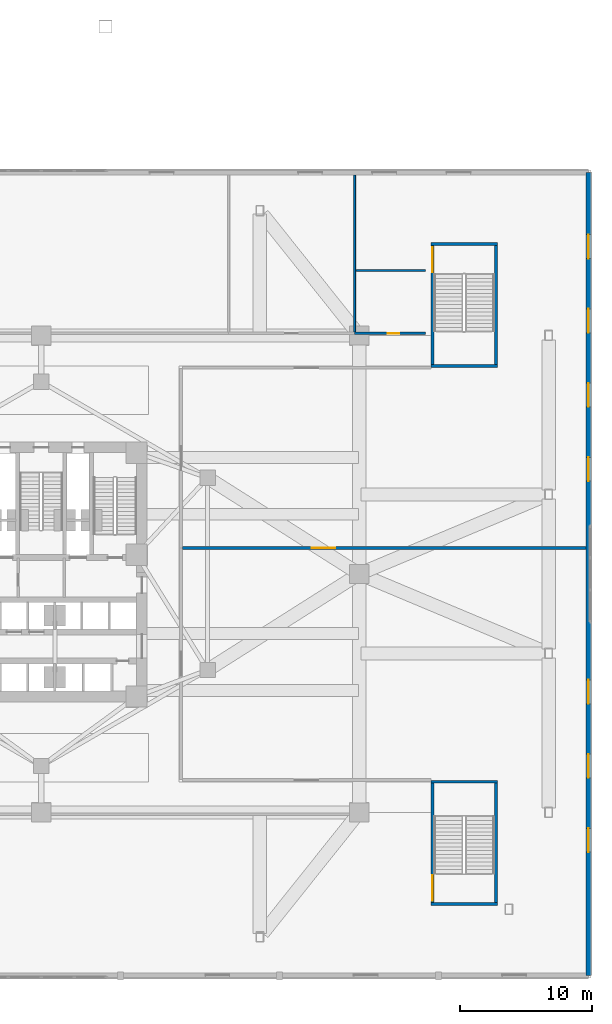
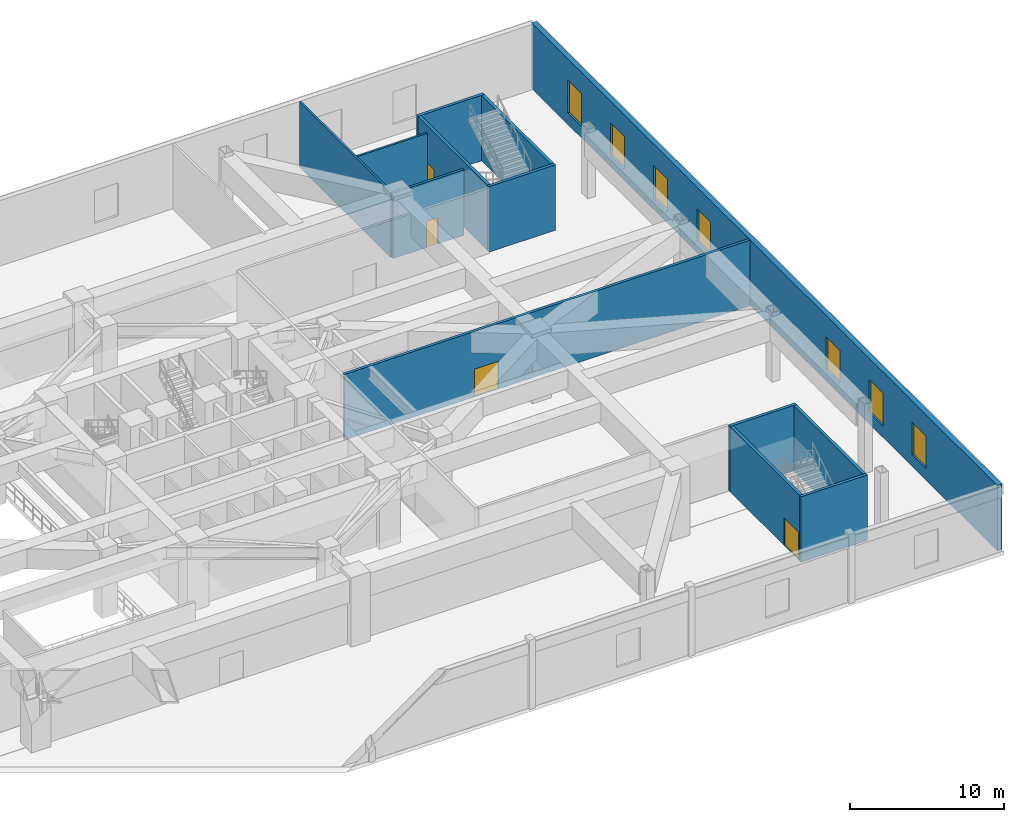
# One storey, part 14 of 23: 13 walls, 7 windows, 4 doors, 11 openings.
"""IFC4 building model written with IfcOpenShell, lengths in metres."""

from ifc_helpers import new_model, si_unit, direction, frame, frame_2d, origin, place, context, subcontext, project, spatial, rectangle, extrude, material, layer, layer_set, type_object, element, fill, save


model = new_model("IFC4")

# Units and contexts
model_context = context("Model", 3, precision=1e-05, world=origin(), true_north=direction((0.0, 1.0)))
body_context = subcontext(model_context, "Body", "Model", "MODEL_VIEW")
ifc_project = project(units=[si_unit("LENGTHUNIT", "METRE"), si_unit("AREAUNIT", "SQUARE_METRE"), si_unit("VOLUMEUNIT", "CUBIC_METRE"), si_unit("PLANEANGLEUNIT", "RADIAN"), si_unit("MASSUNIT", "GRAM", prefix="KILO")], contexts=[model_context])

# Site, building, storey
site_placement = place(None, origin())
site = spatial("IfcSite", under=ifc_project, at=site_placement, CompositionType="ELEMENT")
building_placement = place(site_placement, origin())
building = spatial("IfcBuilding", under=site, at=building_placement, Name="Apsidion Concourse Tower", CompositionType="ELEMENT")
storey_placement = place(building_placement, frame((0.0, 0.0, 6.0)))
storey = spatial("IfcBuildingStorey", under=building, at=storey_placement, Name="L01", CompositionType="ELEMENT", Elevation=6.0)

# Wall, openings, windows
ifc_material_1 = material(Name="Precast concrete C40/50", Category="concrete")
ifc_layer_1 = layer(ifc_material_1, 0.360107421875)
ifc_layer_set_1 = layer_set([ifc_layer_1], Name="Precast concrete C40/50")
wall_type_1 = type_object("IfcWallType", Name="WL-EXT-360", PredefinedType="STANDARD", material=ifc_layer_set_1)
wall_1_placement = place(storey_placement, frame((41.300048828125, 30.300048828125, 0.0), z_axis=(0.0, 0.0, 1.0), x_axis=(0.0, -1.0, 0.0)))
wall_1 = element("IfcWall", 1, at=wall_1_placement, inside=storey, type_object=wall_type_1, Name="L01 Podium Precast Stone Facade Wall E", PredefinedType="STANDARD", context=body_context, shape_type="SweptSolid", body=[
    extrude(rectangle(XDim=60.60009765625, YDim=0.360107421875, at=frame_2d((30.300048828125, 0.0))), origin(), (0.0, 0.0, 1.0), 5.199951171875),
])
opening_1_placement = place(wall_1_placement, frame((4.699951171875, 0.0, 0.89990234375)))
opening_1 = element("IfcOpeningElement", 2, at=opening_1_placement, cuts=wall_1, Name="Opening WN-01", PredefinedType="OPENING", context=body_context, shape_type="SweptSolid", body=[
    extrude(rectangle(XDim=1.800048828125, YDim=2.60009765625, at=frame_2d((0.89990234375, 1.300048828125))), frame((0.0, 0.18994140625, 0.0), z_axis=(0.0, -1.0, 0.0), x_axis=(1.0, 0.0, 0.0)), (0.0, 0.0, 1.0), 0.380126953125),
])
opening_2_placement = place(wall_1_placement, frame((10.300048828125, 0.0, 0.89990234375)))
opening_2 = element("IfcOpeningElement", 3, at=opening_2_placement, cuts=wall_1, Name="Opening WN-01", PredefinedType="OPENING", context=body_context, shape_type="SweptSolid", body=[
    extrude(rectangle(XDim=1.800048828125, YDim=2.60009765625, at=frame_2d((0.89990234375, 1.300048828125))), frame((0.0, 0.18994140625, 0.0), z_axis=(0.0, -1.0, 0.0), x_axis=(1.0, 0.0, 0.0)), (0.0, 0.0, 1.0), 0.380126953125),
])
opening_3_placement = place(wall_1_placement, frame((15.89990234375, 0.0, 0.89990234375)))
opening_3 = element("IfcOpeningElement", 4, at=opening_3_placement, cuts=wall_1, Name="Opening WN-01", PredefinedType="OPENING", context=body_context, shape_type="SweptSolid", body=[
    extrude(rectangle(XDim=1.800048828125, YDim=2.60009765625, at=frame_2d((0.89990234375, 1.300048828125))), frame((0.0, 0.18994140625, 0.0), z_axis=(0.0, -1.0, 0.0), x_axis=(1.0, 0.0, 0.0)), (0.0, 0.0, 1.0), 0.380126953125),
])
opening_4_placement = place(wall_1_placement, frame((21.5, 0.0, 0.89990234375)))
opening_4 = element("IfcOpeningElement", 5, at=opening_4_placement, cuts=wall_1, Name="Opening WN-01", PredefinedType="OPENING", context=body_context, shape_type="SweptSolid", body=[
    extrude(rectangle(XDim=1.800048828125, YDim=2.60009765625, at=frame_2d((0.89990234375, 1.300048828125))), frame((0.0, 0.18994140625, 0.0), z_axis=(0.0, -1.0, 0.0), x_axis=(1.0, 0.0, 0.0)), (0.0, 0.0, 1.0), 0.380126953125),
])
opening_5_placement = place(wall_1_placement, frame((38.300048828125, 0.0, 0.89990234375)))
opening_5 = element("IfcOpeningElement", 6, at=opening_5_placement, cuts=wall_1, Name="Opening WN-01", PredefinedType="OPENING", context=body_context, shape_type="SweptSolid", body=[
    extrude(rectangle(XDim=1.800048828125, YDim=2.60009765625, at=frame_2d((0.89990234375, 1.300048828125))), frame((0.0, 0.18994140625, 0.0), z_axis=(0.0, -1.0, 0.0), x_axis=(1.0, 0.0, 0.0)), (0.0, 0.0, 1.0), 0.380126953125),
])
opening_6_placement = place(wall_1_placement, frame((43.89990234375, 0.0, 0.89990234375)))
opening_6 = element("IfcOpeningElement", 7, at=opening_6_placement, cuts=wall_1, Name="Opening WN-01", PredefinedType="OPENING", context=body_context, shape_type="SweptSolid", body=[
    extrude(rectangle(XDim=1.800048828125, YDim=2.60009765625, at=frame_2d((0.89990234375, 1.300048828125))), frame((0.0, 0.18994140625, 0.0), z_axis=(0.0, -1.0, 0.0), x_axis=(1.0, 0.0, 0.0)), (0.0, 0.0, 1.0), 0.380126953125),
])
opening_7_placement = place(wall_1_placement, frame((49.5, 0.0, 0.89990234375)))
opening_7 = element("IfcOpeningElement", 8, at=opening_7_placement, cuts=wall_1, Name="Opening WN-01", PredefinedType="OPENING", context=body_context, shape_type="SweptSolid", body=[
    extrude(rectangle(XDim=1.800048828125, YDim=2.60009765625, at=frame_2d((0.89990234375, 1.300048828125))), frame((0.0, 0.18994140625, 0.0), z_axis=(0.0, -1.0, 0.0), x_axis=(1.0, 0.0, 0.0)), (0.0, 0.0, 1.0), 0.380126953125),
])
ifc_material_2 = material(Name="Insulated laminated low-E glass", Category="glass")
window_type = type_object("IfcWindowType", Name="WN-POD-1828", PartitioningType="DOUBLE_PANEL_VERTICAL", PredefinedType="WINDOW", material=ifc_material_2)
window_1_placement = place(opening_1_placement, origin())
window_1 = element("IfcWindow", 9, at=window_1_placement, inside=storey, type_object=window_type, Name="L01 Podium Window E-01", OverallHeight=2.60009765625, OverallWidth=1.800048828125, PartitioningType="DOUBLE_PANEL_VERTICAL", PredefinedType="WINDOW", context=body_context, shape_type="SweptSolid", body=[
    extrude(rectangle(XDim=1.800048828125, YDim=2.60009765625, at=frame_2d((0.89990234375, 1.300048828125))), frame((0.0, 0.030029296875, 0.0), z_axis=(0.0, -1.0, 0.0), x_axis=(1.0, 0.0, 0.0)), (0.0, 0.0, 1.0), 0.06005859375),
])
fill(opening_1, window_1)
window_2_placement = place(opening_2_placement, origin())
window_2 = element("IfcWindow", 10, at=window_2_placement, inside=storey, type_object=window_type, Name="L01 Podium Window E-02", OverallHeight=2.60009765625, OverallWidth=1.800048828125, PartitioningType="DOUBLE_PANEL_VERTICAL", PredefinedType="WINDOW", context=body_context, shape_type="SweptSolid", body=[
    extrude(rectangle(XDim=1.800048828125, YDim=2.60009765625, at=frame_2d((0.89990234375, 1.300048828125))), frame((0.0, 0.030029296875, 0.0), z_axis=(0.0, -1.0, 0.0), x_axis=(1.0, 0.0, 0.0)), (0.0, 0.0, 1.0), 0.06005859375),
])
fill(opening_2, window_2)
window_3_placement = place(opening_3_placement, origin())
window_3 = element("IfcWindow", 11, at=window_3_placement, inside=storey, type_object=window_type, Name="L01 Podium Window E-03", OverallHeight=2.60009765625, OverallWidth=1.800048828125, PartitioningType="DOUBLE_PANEL_VERTICAL", PredefinedType="WINDOW", context=body_context, shape_type="SweptSolid", body=[
    extrude(rectangle(XDim=1.800048828125, YDim=2.60009765625, at=frame_2d((0.89990234375, 1.300048828125))), frame((0.0, 0.030029296875, 0.0), z_axis=(0.0, -1.0, 0.0), x_axis=(1.0, 0.0, 0.0)), (0.0, 0.0, 1.0), 0.06005859375),
])
fill(opening_3, window_3)
window_4_placement = place(opening_4_placement, origin())
window_4 = element("IfcWindow", 12, at=window_4_placement, inside=storey, type_object=window_type, Name="L01 Podium Window E-04", OverallHeight=2.60009765625, OverallWidth=1.800048828125, PartitioningType="DOUBLE_PANEL_VERTICAL", PredefinedType="WINDOW", context=body_context, shape_type="SweptSolid", body=[
    extrude(rectangle(XDim=1.800048828125, YDim=2.60009765625, at=frame_2d((0.89990234375, 1.300048828125))), frame((0.0, 0.030029296875, 0.0), z_axis=(0.0, -1.0, 0.0), x_axis=(1.0, 0.0, 0.0)), (0.0, 0.0, 1.0), 0.06005859375),
])
fill(opening_4, window_4)
window_5_placement = place(opening_5_placement, origin())
window_5 = element("IfcWindow", 13, at=window_5_placement, inside=storey, type_object=window_type, Name="L01 Podium Window E-07", OverallHeight=2.60009765625, OverallWidth=1.800048828125, PartitioningType="DOUBLE_PANEL_VERTICAL", PredefinedType="WINDOW", context=body_context, shape_type="SweptSolid", body=[
    extrude(rectangle(XDim=1.800048828125, YDim=2.60009765625, at=frame_2d((0.89990234375, 1.300048828125))), frame((0.0, 0.030029296875, 0.0), z_axis=(0.0, -1.0, 0.0), x_axis=(1.0, 0.0, 0.0)), (0.0, 0.0, 1.0), 0.06005859375),
])
fill(opening_5, window_5)
window_6_placement = place(opening_6_placement, origin())
window_6 = element("IfcWindow", 14, at=window_6_placement, inside=storey, type_object=window_type, Name="L01 Podium Window E-08", OverallHeight=2.60009765625, OverallWidth=1.800048828125, PartitioningType="DOUBLE_PANEL_VERTICAL", PredefinedType="WINDOW", context=body_context, shape_type="SweptSolid", body=[
    extrude(rectangle(XDim=1.800048828125, YDim=2.60009765625, at=frame_2d((0.89990234375, 1.300048828125))), frame((0.0, 0.030029296875, 0.0), z_axis=(0.0, -1.0, 0.0), x_axis=(1.0, 0.0, 0.0)), (0.0, 0.0, 1.0), 0.06005859375),
])
fill(opening_6, window_6)
window_7_placement = place(opening_7_placement, origin())
window_7 = element("IfcWindow", 15, at=window_7_placement, inside=storey, type_object=window_type, Name="L01 Podium Window E-09", OverallHeight=2.60009765625, OverallWidth=1.800048828125, PartitioningType="DOUBLE_PANEL_VERTICAL", PredefinedType="WINDOW", context=body_context, shape_type="SweptSolid", body=[
    extrude(rectangle(XDim=1.800048828125, YDim=2.60009765625, at=frame_2d((0.89990234375, 1.300048828125))), frame((0.0, 0.030029296875, 0.0), z_axis=(0.0, -1.0, 0.0), x_axis=(1.0, 0.0, 0.0)), (0.0, 0.0, 1.0), 0.06005859375),
])
fill(opening_7, window_7)

# Wall, opening, door
ifc_material_3 = material(Name="Anodised aluminium EN AW-6063 T6", Category="aluminium")
ifc_layer_2 = layer(ifc_material_3, 0.2099609375)
ifc_layer_set_2 = layer_set([ifc_layer_2], Name="Anodised aluminium EN AW-6063 T6")
wall_type_2 = type_object("IfcWallType", Name="WL-INT-MOV-210", PredefinedType="MOVABLE", material=ifc_layer_set_2)
wall_2_placement = place(storey_placement, frame((10.64990234375, 1.949951171875, 0.0), z_axis=(0.0, 0.0, 1.0), x_axis=(1.0, 0.0, 0.0)))
wall_2 = element("IfcWall", 16, at=wall_2_placement, inside=storey, type_object=wall_type_2, Name="L01 Interior Partition WL-L01-EH", PredefinedType="MOVABLE", context=body_context, shape_type="SweptSolid", body=[
    extrude(rectangle(XDim=30.455078125, YDim=0.2099609375, at=frame_2d((15.2275390625, 0.0))), origin(), (0.0, 0.0, 1.0), 5.199951171875),
])
opening_8_placement = place(wall_2_placement, frame((9.75927734375, 0.0, 0.0)))
opening_8 = element("IfcOpeningElement", 17, at=opening_8_placement, cuts=wall_2, Name="Opening D-06D", PredefinedType="OPENING", context=body_context, shape_type="SweptSolid", body=[
    extrude(rectangle(XDim=1.800048828125, YDim=2.199951171875, at=frame_2d((0.89990234375, 1.10009765625))), frame((0.0, 0.114990234375, 0.0), z_axis=(0.0, -1.0, 0.0), x_axis=(1.0, 0.0, 0.0)), (0.0, 0.0, 1.0), 0.22998046875),
])
ifc_material_4 = material(Name="Brushed stainless steel 316", Category="steel")
door_type_1 = type_object("IfcDoorType", Name="DR-INT-D06D", OperationType="DOUBLE_DOOR_SINGLE_SWING", PredefinedType="DOOR", material=ifc_material_4)
door_1_placement = place(opening_8_placement, origin())
door_1 = element("IfcDoor", 18, at=door_1_placement, inside=storey, type_object=door_type_1, Name="L01 Convention Door WL-L01-EH", OperationType="DOUBLE_DOOR_SINGLE_SWING", OverallHeight=2.199951171875, OverallWidth=1.800048828125, PredefinedType="DOOR", context=body_context, shape_type="SweptSolid", body=[
    extrude(rectangle(XDim=1.800048828125, YDim=2.199951171875, at=frame_2d((0.89990234375, 1.10009765625))), frame((0.0, 0.02490234375, 0.0), z_axis=(0.0, -1.0, 0.0), x_axis=(1.0, 0.0, 0.0)), (0.0, 0.0, 1.0), 0.050048828125),
])
fill(opening_8, door_1)

# Walls
ifc_material_5 = material(Name="Gypsum plasterboard partition")
ifc_layer_3 = layer(ifc_material_5, 0.14990234375)
ifc_layer_set_3 = layer_set([ifc_layer_3], Name="Gypsum plasterboard partition")
wall_type_3 = type_object("IfcWallType", Name="WL-INT-PAR-150", PredefinedType="PARTITIONING", material=ifc_layer_set_3)
wall_3_placement = place(storey_placement, frame((23.64990234375, 18.25, 0.0), z_axis=(0.0, 0.0, 1.0), x_axis=(0.0, 1.0, 0.0)))
element("IfcWall", 19, at=wall_3_placement, inside=storey, type_object=wall_type_3, Name="L01 Interior Partition WL-L01-WCV2", PredefinedType="PARTITIONING", context=body_context, shape_type="SweptSolid", body=[
    extrude(rectangle(XDim=11.85498046875, YDim=0.14990234375, at=frame_2d((5.927490234375, 0.0))), origin(), (0.0, 0.0, 1.0), 5.199951171875),
])
wall_4_placement = place(storey_placement, frame((23.75, 22.89990234375, 0.0), z_axis=(0.0, 0.0, 1.0), x_axis=(1.0, 0.0, 0.0)))
element("IfcWall", 20, at=wall_4_placement, inside=storey, type_object=wall_type_3, Name="L01 Interior Partition WL-L01-WC3", PredefinedType="PARTITIONING", context=body_context, shape_type="SweptSolid", body=[
    extrude(rectangle(XDim=5.25, YDim=0.14990234375, at=frame_2d((2.625, 0.0))), origin(), (0.0, 0.0, 1.0), 5.199951171875),
])

# Wall, opening, door
ifc_layer_4 = layer(ifc_material_5, 0.179931640625)
ifc_layer_set_4 = layer_set([ifc_layer_4], Name="Gypsum plasterboard partition")
wall_type_4 = type_object("IfcWallType", Name="WL-INT-PAR-180", PredefinedType="PARTITIONING", material=ifc_layer_set_4)
wall_5_placement = place(storey_placement, frame((23.64990234375, 18.14990234375, 0.0), z_axis=(0.0, 0.0, 1.0), x_axis=(1.0, 0.0, 0.0)))
wall_5 = element("IfcWall", 21, at=wall_5_placement, inside=storey, type_object=wall_type_4, Name="L01 Interior Partition WL-L01-WC2", PredefinedType="PARTITIONING", context=body_context, shape_type="SweptSolid", body=[
    extrude(rectangle(XDim=5.35009765625, YDim=0.179931640625, at=frame_2d((2.675048828125, 0.0))), origin(), (0.0, 0.0, 1.0), 5.199951171875),
])
opening_9_placement = place(wall_5_placement, frame((2.50244140625, 0.0, 0.0)))
opening_9 = element("IfcOpeningElement", 22, at=opening_9_placement, cuts=wall_5, Name="Opening D-03R", PredefinedType="OPENING", context=body_context, shape_type="SweptSolid", body=[
    extrude(rectangle(XDim=0.8798828125, YDim=2.10009765625, at=frame_2d((0.43994140625, 1.050048828125))), frame((0.0, 0.10009765625, 0.0), z_axis=(0.0, -1.0, 0.0), x_axis=(1.0, 0.0, 0.0)), (0.0, 0.0, 1.0), 0.199951171875),
])
door_type_2 = type_object("IfcDoorType", Name="DR-INT-D03R", OperationType="SINGLE_SWING_RIGHT", PredefinedType="DOOR", material=ifc_material_3)
door_2_placement = place(opening_9_placement, origin())
door_2 = element("IfcDoor", 23, at=door_2_placement, inside=storey, type_object=door_type_2, Name="L01 Convention Door WL-L01-WC2", OperationType="SINGLE_SWING_RIGHT", OverallHeight=2.10009765625, OverallWidth=0.8798828125, PredefinedType="DOOR", context=body_context, shape_type="SweptSolid", body=[
    extrude(rectangle(XDim=0.8798828125, YDim=2.10009765625, at=frame_2d((0.43994140625, 1.050048828125))), frame((0.0, 0.02490234375, 0.0), z_axis=(0.0, -1.0, 0.0), x_axis=(1.0, 0.0, 0.0)), (0.0, 0.0, 1.0), 0.050048828125),
])
fill(opening_9, door_2)

# Walls
ifc_material_6 = material(Name="Concrete C50/60", Category="concrete")
ifc_layer_5 = layer(ifc_material_6, 0.219970703125)
ifc_layer_set_5 = layer_set([ifc_layer_5], Name="Concrete C50/60")
wall_type_5 = type_object("IfcWallType", Name="WL-SH-220", PredefinedType="SHEAR", material=ifc_layer_set_5)
for number, where, z_axis, x_axis, name in (
    (24, (29.429931640625, -24.909912109375, 0.0), (0.0, 0.0, 1.0), (1.0, 0.0, 0.0), "L01 Podium Stair ST-P2 Core Shear Wall S"),
    (25, (29.429931640625, -15.68994140625, 0.0), (0.0, 0.0, 1.0), (1.0, 0.0, 0.0), "L01 Podium Stair ST-P2 Core Shear Wall N"),
):
    element("IfcWall", number, at=place(storey_placement, frame(where, z_axis=z_axis, x_axis=x_axis)), inside=storey, type_object=wall_type_5, Name=name, PredefinedType="SHEAR", context=body_context, shape_type="SweptSolid", body=[
        extrude(rectangle(XDim=4.989990234375, YDim=0.219970703125, at=frame_2d((2.4951171875, 0.0))), origin(), (0.0, 0.0, 1.0), 5.199951171875),
    ])

# Wall, opening, door
wall_6_placement = place(storey_placement, frame((29.5400390625, -24.800048828125, 0.0), z_axis=(0.0, 0.0, 1.0), x_axis=(0.0, 1.0, 0.0)))
wall_6 = element("IfcWall", 26, at=wall_6_placement, inside=storey, type_object=wall_type_5, Name="L01 Podium Stair ST-P2 Core Shear Wall W", PredefinedType="SHEAR", context=body_context, shape_type="SweptSolid", body=[
    extrude(rectangle(XDim=9.0, YDim=0.219970703125, at=frame_2d((4.5, 0.0))), origin(), (0.0, 0.0, 1.0), 5.199951171875),
])
opening_10_placement = place(wall_6_placement, frame((0.139892578125, 0.0, 0.0)))
opening_10 = element("IfcOpeningElement", 27, at=opening_10_placement, cuts=wall_6, Name="Opening D-07D", PredefinedType="OPENING", context=body_context, shape_type="SweptSolid", body=[
    extrude(rectangle(XDim=1.89990234375, YDim=2.199951171875, at=frame_2d((0.949951171875, 1.10009765625))), frame((0.0, 0.1201171875, 0.0), z_axis=(0.0, -1.0, 0.0), x_axis=(1.0, 0.0, 0.0)), (0.0, 0.0, 1.0), 0.239990234375),
])
door_type_3 = type_object("IfcDoorType", Name="DR-INT-D07D", OperationType="DOUBLE_DOOR_SINGLE_SWING", PredefinedType="DOOR", material=ifc_material_4)
door_3_placement = place(opening_10_placement, origin())
door_3 = element("IfcDoor", 28, at=door_3_placement, inside=storey, type_object=door_type_3, Name="L01 Podium Exit Stair ST-P2 Entry Door", OperationType="DOUBLE_DOOR_SINGLE_SWING", OverallHeight=2.199951171875, OverallWidth=1.89990234375, PredefinedType="DOOR", context=body_context, shape_type="SweptSolid", body=[
    extrude(rectangle(XDim=1.89990234375, YDim=2.199951171875, at=frame_2d((0.949951171875, 1.10009765625))), frame((0.0, 0.02490234375, 0.0), z_axis=(0.0, -1.0, 0.0), x_axis=(1.0, 0.0, 0.0)), (0.0, 0.0, 1.0), 0.050048828125),
])
fill(opening_10, door_3)

# Walls
wall_7_placement = place(storey_placement, frame((34.31005859375, -24.800048828125, 0.0), z_axis=(0.0, 0.0, 1.0), x_axis=(0.0, 1.0, 0.0)))
element("IfcWall", 29, at=wall_7_placement, inside=storey, type_object=wall_type_5, Name="L01 Podium Stair ST-P2 Core Shear Wall E", PredefinedType="SHEAR", context=body_context, shape_type="SweptSolid", body=[
    extrude(rectangle(XDim=9.0, YDim=0.219970703125, at=frame_2d((4.5, 0.0))), origin(), (0.0, 0.0, 1.0), 5.199951171875),
])
for number, where, z_axis, x_axis, name in (
    (30, (29.429931640625, 15.68994140625, 0.0), (0.0, 0.0, 1.0), (1.0, 0.0, 0.0), "L01 Podium Stair ST-P4 Core Shear Wall S"),
    (31, (29.429931640625, 24.909912109375, 0.0), (0.0, 0.0, 1.0), (1.0, 0.0, 0.0), "L01 Podium Stair ST-P4 Core Shear Wall N"),
):
    element("IfcWall", number, at=place(storey_placement, frame(where, z_axis=z_axis, x_axis=x_axis)), inside=storey, type_object=wall_type_5, Name=name, PredefinedType="SHEAR", context=body_context, shape_type="SweptSolid", body=[
        extrude(rectangle(XDim=4.989990234375, YDim=0.219970703125, at=frame_2d((2.4951171875, 0.0))), origin(), (0.0, 0.0, 1.0), 5.199951171875),
    ])

# Wall, opening, door
wall_8_placement = place(storey_placement, frame((29.5400390625, 15.800048828125, 0.0), z_axis=(0.0, 0.0, 1.0), x_axis=(0.0, 1.0, 0.0)))
wall_8 = element("IfcWall", 32, at=wall_8_placement, inside=storey, type_object=wall_type_5, Name="L01 Podium Stair ST-P4 Core Shear Wall W", PredefinedType="SHEAR", context=body_context, shape_type="SweptSolid", body=[
    extrude(rectangle(XDim=9.0, YDim=0.219970703125, at=frame_2d((4.5, 0.0))), origin(), (0.0, 0.0, 1.0), 5.199951171875),
])
opening_11_placement = place(wall_8_placement, frame((6.9599609375, 0.0, 0.0)))
opening_11 = element("IfcOpeningElement", 33, at=opening_11_placement, cuts=wall_8, Name="Opening D-07D", PredefinedType="OPENING", context=body_context, shape_type="SweptSolid", body=[
    extrude(rectangle(XDim=1.89990234375, YDim=2.199951171875, at=frame_2d((0.949951171875, 1.10009765625))), frame((0.0, 0.1201171875, 0.0), z_axis=(0.0, -1.0, 0.0), x_axis=(1.0, 0.0, 0.0)), (0.0, 0.0, 1.0), 0.239990234375),
])
door_4_placement = place(opening_11_placement, origin())
door_4 = element("IfcDoor", 34, at=door_4_placement, inside=storey, type_object=door_type_3, Name="L01 Podium Exit Stair ST-P4 Entry Door", OperationType="DOUBLE_DOOR_SINGLE_SWING", OverallHeight=2.199951171875, OverallWidth=1.89990234375, PredefinedType="DOOR", context=body_context, shape_type="SweptSolid", body=[
    extrude(rectangle(XDim=1.89990234375, YDim=2.199951171875, at=frame_2d((0.949951171875, 1.10009765625))), frame((0.0, 0.02490234375, 0.0), z_axis=(0.0, -1.0, 0.0), x_axis=(1.0, 0.0, 0.0)), (0.0, 0.0, 1.0), 0.050048828125),
])
fill(opening_11, door_4)

# Wall
wall_9_placement = place(storey_placement, frame((34.31005859375, 15.800048828125, 0.0), z_axis=(0.0, 0.0, 1.0), x_axis=(0.0, 1.0, 0.0)))
element("IfcWall", 35, at=wall_9_placement, inside=storey, type_object=wall_type_5, Name="L01 Podium Stair ST-P4 Core Shear Wall E", PredefinedType="SHEAR", context=body_context, shape_type="SweptSolid", body=[
    extrude(rectangle(XDim=9.0, YDim=0.219970703125, at=frame_2d((4.5, 0.0))), origin(), (0.0, 0.0, 1.0), 5.199951171875),
])

save(model, "model.ifc")
